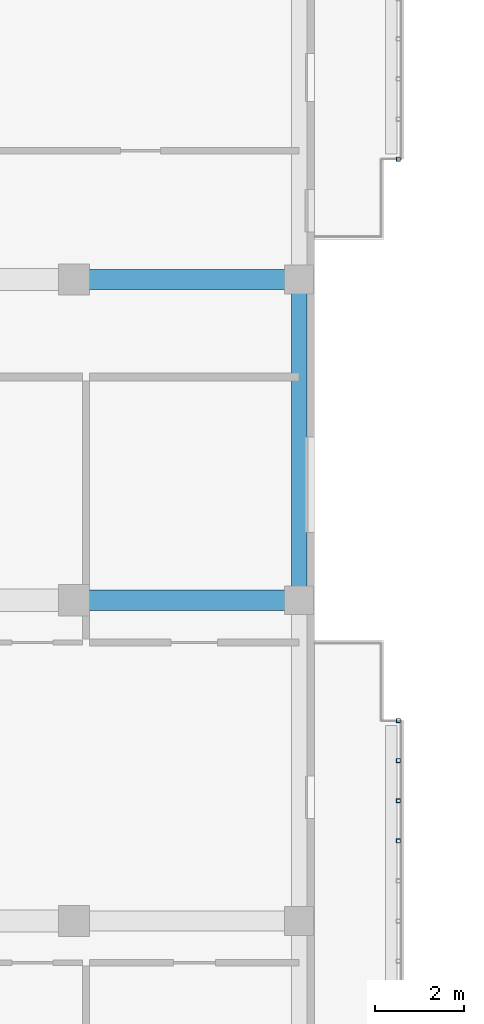
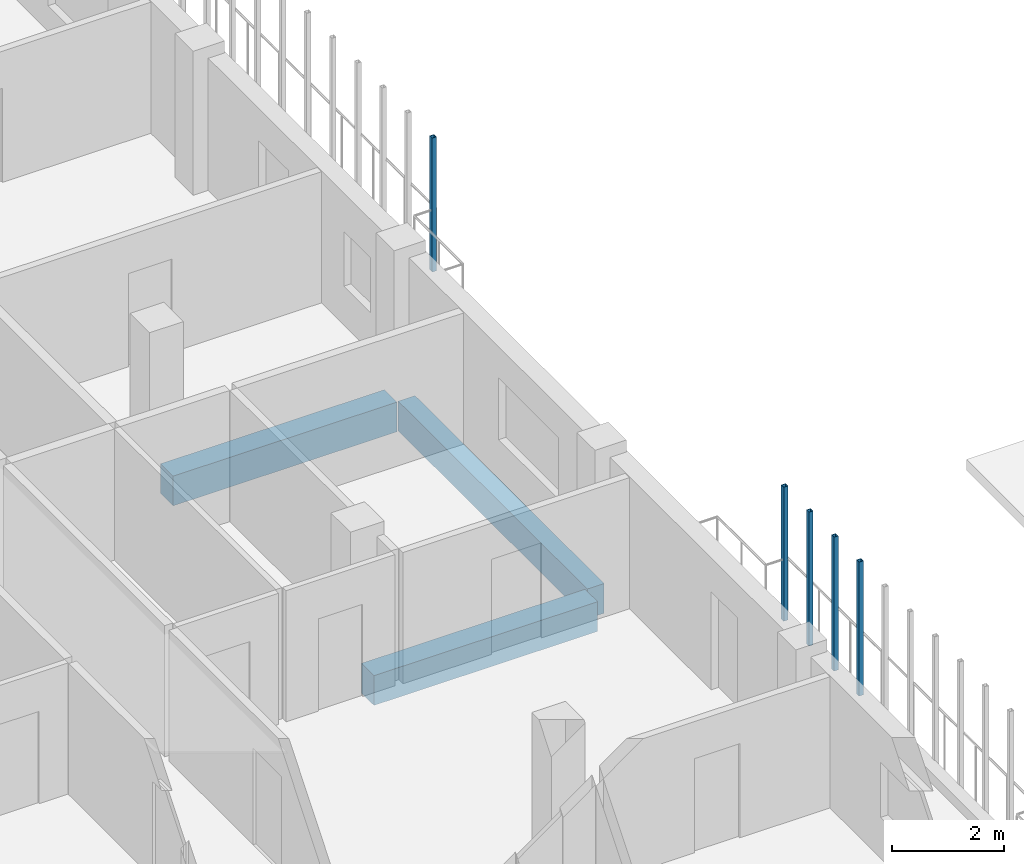
# One storey, part 4 of 51: 5 members, 3 beams.
"""IFC4 building model written with IfcOpenShell, lengths in metres."""

from ifc_helpers import new_model, si_unit, derived_unit, direction, frame, origin, origin_2d, place, context, subcontext, project, spatial, rectangle, hollow_rectangle, extrude, material, material_profile, profile_set, type_object, element, save


model = new_model("IFC4")

# Units and contexts
model_context = context("Model", 3, precision=1e-05, world=origin(), true_north=direction((0.0, 1.0)))
body_context = subcontext(model_context, "Body", "Model", "MODEL_VIEW")
ifc_project = project(units=[si_unit("LENGTHUNIT", "METRE"), si_unit("AREAUNIT", "SQUARE_METRE"), si_unit("VOLUMEUNIT", "CUBIC_METRE"), si_unit("PLANEANGLEUNIT", "RADIAN"), si_unit("MASSUNIT", "GRAM", prefix="KILO"), derived_unit("THERMALTRANSMITTANCEUNIT", [(si_unit("MASSUNIT", "GRAM", prefix="KILO"), 1), (si_unit("TIMEUNIT", "SECOND"), -3), (si_unit("THERMODYNAMICTEMPERATUREUNIT", "KELVIN"), -1)])], contexts=[model_context])

# Site, building, storey
site_placement = place(None, origin())
site = spatial("IfcSite", under=ifc_project, at=site_placement, CompositionType="ELEMENT")
building_placement = place(site_placement, origin())
building = spatial("IfcBuilding", under=site, at=building_placement, Name="Ochrekiln Boulevard Commons", CompositionType="ELEMENT")
storey_placement = place(building_placement, frame((0.0, 0.0, 15.22509765625)))
storey = spatial("IfcBuildingStorey", under=building, at=storey_placement, Name="L04", CompositionType="ELEMENT", Elevation=15.22509765625)

# Beams
ifc_material_1 = material(Name="Concrete C35/45", Category="concrete")
ifc_material_profile_1 = material_profile(ifc_material_1, rectangle(XDim=0.449951171875, YDim=0.64990234375, at=origin_2d()), Name="RC-BM-450x650")
ifc_profile_set_1 = profile_set([ifc_material_profile_1], Name="Concrete C35/45")
beam_type_1 = type_object("IfcBeamType", Name="BM-RC-450x650", PredefinedType="BEAM", material=ifc_profile_set_1)
for number, where, z_axis, x_axis, name in (
    (1, (16.409912109375, 21.60009765625, -0.585205078125), (1.0, 0.0, 0.0), (0.0, 1.0, 0.0), "Block D L04 Beam B-4565 X11"),
    (2, (16.409912109375, 28.800048828125, -0.585205078125), (1.0, 0.0, 0.0), (0.0, 1.0, 0.0), "Block D L04 Beam B-4565 X14"),
):
    element("IfcBeam", number, at=place(storey_placement, frame(where, z_axis=z_axis, x_axis=x_axis)), inside=storey, type_object=beam_type_1, Name=name, PredefinedType="BEAM", context=body_context, shape_type="SweptSolid", body=[
        extrude(rectangle(XDim=0.449951171875, YDim=0.64990234375, at=origin_2d()), origin(), (0.0, 0.0, 1.0), 4.630126953125),
    ])

# Members
ifc_material_2 = material(Name="Steel A500 Grade C", Category="steel")
ifc_material_profile_2 = material_profile(ifc_material_2, hollow_rectangle(XDim=0.090087890625, YDim=0.090087890625, WallThickness=0.00634765625, at=origin_2d()), Name="HSS90X90X6.4")
ifc_profile_set_2 = profile_set([ifc_material_profile_2], Name="Steel A500 Grade C")
member_type = type_object("IfcMemberType", Name="MEM-PST-HSS90", PredefinedType="POST", material=ifc_profile_set_2)
for number, where, z_axis, x_axis, name in (
    (3, (23.47998046875, 16.199951171875, 0.0), (0.0, 0.0, 1.0), (1.0, 0.0, 0.0), "Block D L04 Slim Vertical Balcony Post (360)"),
    (4, (23.47998046875, 17.10009765625, 0.0), (0.0, 0.0, 1.0), (1.0, 0.0, 0.0), "Block D L04 Slim Vertical Balcony Post (361)"),
    (5, (23.47998046875, 18.0, 0.0), (0.0, 0.0, 1.0), (1.0, 0.0, 0.0), "Block D L04 Slim Vertical Balcony Post (362)"),
    (6, (23.47998046875, 18.89990234375, 0.0), (0.0, 0.0, 1.0), (1.0, 0.0, 0.0), "Block D L04 Slim Vertical Balcony Post (363)"),
    (7, (23.47998046875, 31.5, 0.0), (0.0, 0.0, 1.0), (1.0, 0.0, 0.0), "Block D L04 Slim Vertical Balcony Post (364)"),
):
    element("IfcMember", number, at=place(storey_placement, frame(where, z_axis=z_axis, x_axis=x_axis)), inside=storey, type_object=member_type, Name=name, PredefinedType="POST", context=body_context, shape_type="SweptSolid", body=[
        extrude(hollow_rectangle(XDim=0.090087890625, YDim=0.090087890625, WallThickness=0.00634765625, at=origin_2d()), origin(), (0.0, 0.0, 1.0), 2.929931640625),
    ])

# Beam
ifc_material_3 = material(Name="Concrete C40/50", Category="concrete")
ifc_material_profile_3 = material_profile(ifc_material_3, rectangle(XDim=0.35009765625, YDim=0.64990234375, at=origin_2d()), Name="RC-SPN-350x650")
ifc_profile_set_3 = profile_set([ifc_material_profile_3], Name="Concrete C40/50")
beam_type_2 = type_object("IfcBeamType", Name="SPN-RC-350x650", PredefinedType="SPANDREL", material=ifc_profile_set_3)
beam_placement = place(storey_placement, frame((21.25, 21.81005859375, -0.585205078125), z_axis=(0.0, 1.0, 0.0), x_axis=(-1.0, 0.0, 0.0)))
element("IfcBeam", 8, at=beam_placement, inside=storey, type_object=beam_type_2, Name="Block D L04 Beam SP-3565 Y33", PredefinedType="SPANDREL", context=body_context, shape_type="SweptSolid", body=[
    extrude(rectangle(XDim=0.35009765625, YDim=0.64990234375, at=origin_2d()), origin(), (0.0, 0.0, 1.0), 6.780029296875),
])

save(model, "model.ifc")
